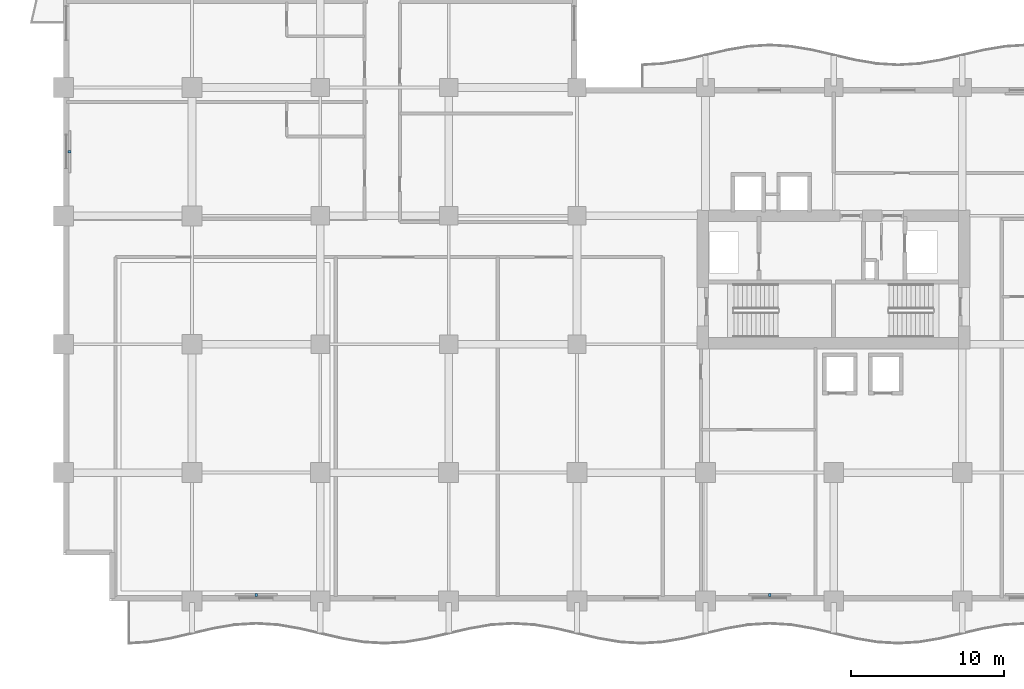
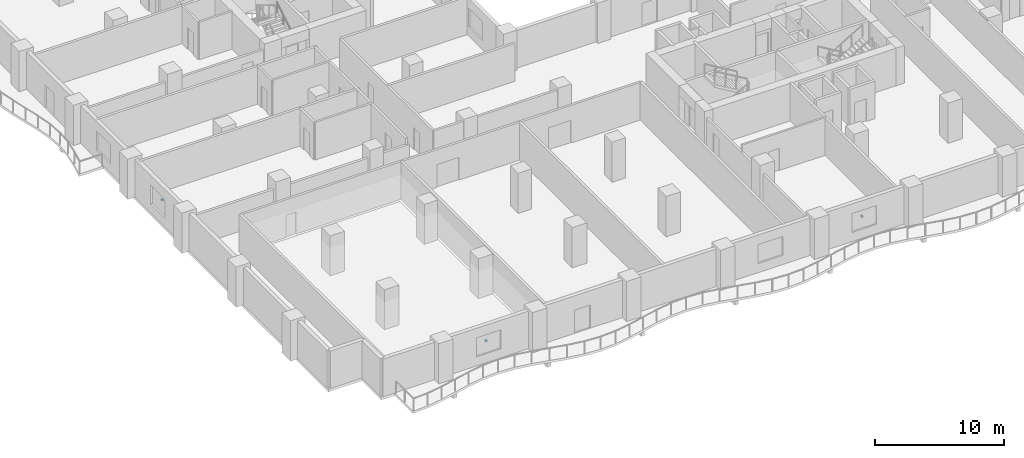
# One storey, part 18 of 24: 3 discrete accessories.
"""IFC4 building model written with IfcOpenShell, lengths in metres."""

from ifc_helpers import new_model, si_unit, direction, frame, origin, origin_2d, place, context, subcontext, project, spatial, rectangle, extrude, material, type_object, element, save


model = new_model("IFC4")

# Units and contexts
model_context = context("Model", 3, precision=1e-05, world=origin(), true_north=direction((0.0, 1.0)))
body_context = subcontext(model_context, "Body", "Model", "MODEL_VIEW")
ifc_project = project(units=[si_unit("LENGTHUNIT", "METRE"), si_unit("AREAUNIT", "SQUARE_METRE"), si_unit("VOLUMEUNIT", "CUBIC_METRE"), si_unit("PLANEANGLEUNIT", "RADIAN"), si_unit("MASSUNIT", "GRAM", prefix="KILO")], contexts=[model_context])

# Site, building, storey
site_placement = place(None, origin())
site = spatial("IfcSite", under=ifc_project, at=site_placement, CompositionType="ELEMENT")
building_placement = place(site_placement, origin())
building = spatial("IfcBuilding", under=site, at=building_placement, Name="Koriwani Terraces Tower", CompositionType="ELEMENT")
storey_placement = place(building_placement, frame((0.0, 0.0, 149.39990234375)))
storey = spatial("IfcBuildingStorey", under=building, at=storey_placement, Name="L36", CompositionType="ELEMENT", Elevation=149.39990234375)

# Discrete accessories
ifc_material = material(Name="Steel ASTM A572 Grade 50", Category="steel")
discrete_accessory_type = type_object("IfcDiscreteAccessoryType", Name="BAGUETTE_STANDOFF_BRACKET", PredefinedType="BRACKET", material=ifc_material)
for number, where, z_axis, x_axis, name in (
    (1, (0.389892578125, 29.39990234375, 1.68505859375), (0.0, 0.0, 1.0), (0.0, 1.0, 0.0), "L36 Terracotta Baguette Bracket (W-9)"),
    (2, (12.60009765625, 0.389892578125, 1.68505859375), (0.0, 0.0, 1.0), (-1.0, 0.0, 0.0), "L36 Terracotta Baguette Bracket (S-3)"),
    (3, (46.199951171875, 0.389892578125, 1.68505859375), (0.0, 0.0, 1.0), (-1.0, 0.0, 0.0), "L36 Terracotta Baguette Bracket (S-15)"),
):
    element("IfcDiscreteAccessory", number, at=place(storey_placement, frame(where, z_axis=z_axis, x_axis=x_axis)), inside=storey, type_object=discrete_accessory_type, Name=name, PredefinedType="BRACKET", context=body_context, shape_type="SweptSolid", body=[
        extrude(rectangle(XDim=0.159912109375, YDim=0.199951171875, at=origin_2d()), origin(), (0.0, 0.0, 1.0), 0.179931640625),
    ])

save(model, "model.ifc")
